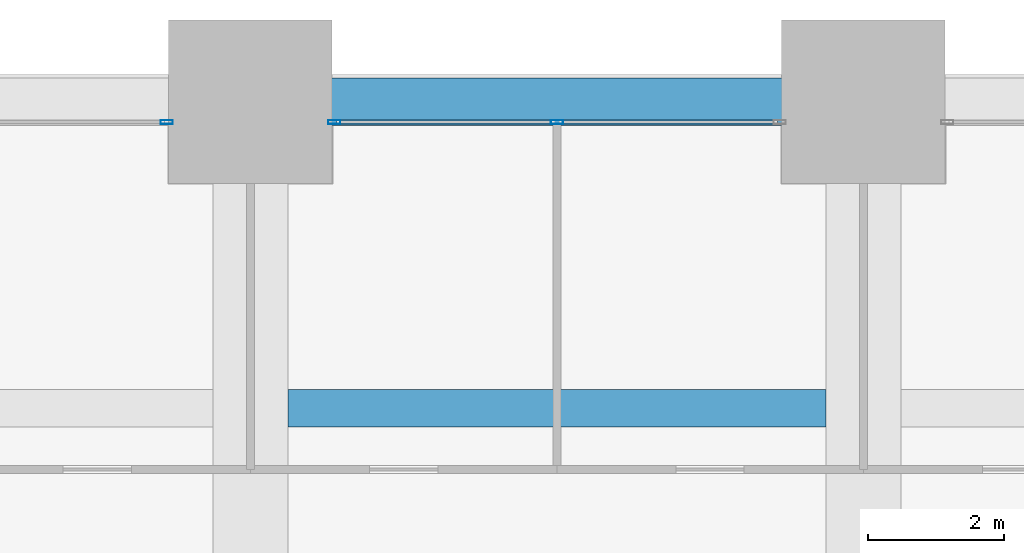
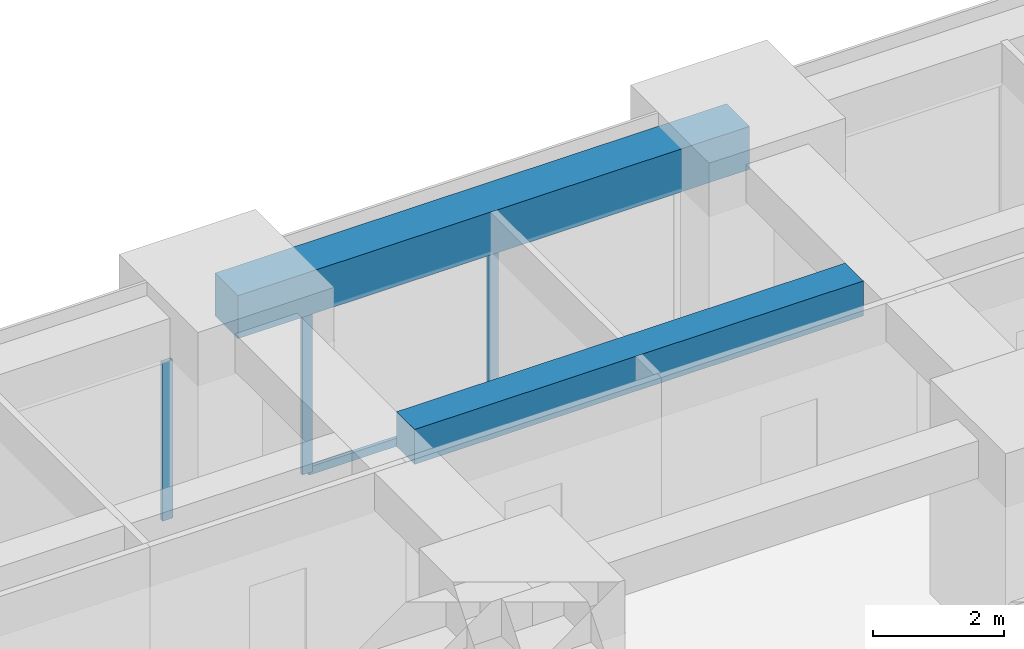
# One storey, part 30 of 44: 4 members, 2 beams, 2 elements without a shape of their own.
"""IFC4 building model written with IfcOpenShell, lengths in metres."""

from ifc_helpers import new_model, si_unit, direction, frame, origin, origin_2d, place, context, subcontext, project, spatial, rectangle, hollow_rectangle, extrude, material, material_profile, profile_set, type_object, element, aggregate, save


model = new_model("IFC4")

# Units and contexts
model_context = context("Model", 3, precision=1e-05, world=origin(), true_north=direction((0.0, 1.0)))
body_context = subcontext(model_context, "Body", "Model", "MODEL_VIEW")
ifc_project = project(units=[si_unit("LENGTHUNIT", "METRE"), si_unit("AREAUNIT", "SQUARE_METRE"), si_unit("VOLUMEUNIT", "CUBIC_METRE"), si_unit("PLANEANGLEUNIT", "RADIAN"), si_unit("MASSUNIT", "GRAM", prefix="KILO")], contexts=[model_context])

# Site, building, storey
site_placement = place(None, origin())
site = spatial("IfcSite", under=ifc_project, at=site_placement, CompositionType="ELEMENT")
building_placement = place(site_placement, origin())
building = spatial("IfcBuilding", under=site, at=building_placement, Name="Zorevar Civic Tower", CompositionType="ELEMENT")
storey_placement = place(building_placement, frame((0.0, 0.0, 31.800048828125)))
storey = spatial("IfcBuildingStorey", under=building, at=storey_placement, Name="L07", CompositionType="ELEMENT", Elevation=31.800048828125)

# Beam
ifc_material_1 = material(Name="Concrete C50/60", Category="concrete")
ifc_material_profile_1 = material_profile(ifc_material_1, rectangle(XDim=0.550048828125, YDim=0.64990234375, at=origin_2d()), Name="RC 550x650")
ifc_profile_set_1 = profile_set([ifc_material_profile_1], Name="Concrete C50/60")
beam_type_1 = type_object("IfcBeamType", Name="Beam RC 550x650", PredefinedType="BEAM", material=ifc_profile_set_1)
beam_1_placement = place(storey_placement, frame((27.550048828125, 49.5, 3.425048828125), z_axis=(1.0, 0.0, 0.0), x_axis=(0.0, 1.0, 0.0)))
element("IfcBeam", 1, at=beam_1_placement, inside=storey, type_object=beam_type_1, Name="Secondary beam L08", PredefinedType="BEAM", context=body_context, shape_type="SweptSolid", body=[
    extrude(rectangle(XDim=0.550048828125, YDim=0.64990234375, at=origin_2d()), origin(), (0.0, 0.0, 1.0), 7.89990234375),
])

# Curtain wall, member
ifc_material_2 = material(Name="Dark grey solar-control glass in black aluminium frame", Category="aluminium")
curtain_wall_type = type_object("IfcCurtainWallType", Name="Curtain wall CW2 low zone", PredefinedType="NOTDEFINED", material=ifc_material_2)
curtain_wall_1_placement = place(storey_placement, origin())
curtain_wall_1 = element("IfcCurtainWall", 2, at=curtain_wall_1_placement, inside=storey, type_object=curtain_wall_type, Name="CW2 L07", PredefinedType="NOTDEFINED")
ifc_material_3 = material(Name="Aluminium, black anodised", Category="aluminium")
ifc_material_profile_2 = material_profile(ifc_material_3, hollow_rectangle(XDim=0.06005859375, YDim=0.179931640625, WallThickness=0.00390625, at=origin_2d()), Name="AL 180x60x4")
ifc_profile_set_2 = profile_set([ifc_material_profile_2], Name="Aluminium, black anodised")
member_type_1 = type_object("IfcMemberType", Name="CW2 mullion AL 180x60x4", PredefinedType="MULLION", material=ifc_profile_set_2)
member_1_placement = place(storey_placement, frame((25.77001953125, 53.699951171875, 0.0), z_axis=(0.0, 0.0, 1.0), x_axis=(0.0, 1.0, 0.0)))
member_1 = element("IfcMember", 3, at=member_1_placement, type_object=member_type_1, Name="CW2 mullion 3", PredefinedType="MULLION", context=body_context, shape_type="SweptSolid", body=[
    extrude(hollow_rectangle(XDim=0.06005859375, YDim=0.179931640625, WallThickness=0.00390625, at=origin_2d()), origin(), (0.0, 0.0, 1.0), 2.949951171875),
])
aggregate(curtain_wall_1, [member_1])

# Curtain wall, members
curtain_wall_2_placement = place(storey_placement, origin())
curtain_wall_2 = element("IfcCurtainWall", 4, at=curtain_wall_2_placement, inside=storey, type_object=curtain_wall_type, Name="CW2 L07", PredefinedType="NOTDEFINED")
member_2_placement = place(storey_placement, frame((28.22998046875, 53.699951171875, 0.0), z_axis=(0.0, 0.0, 1.0), x_axis=(0.0, 1.0, 0.0)))
member_2 = element("IfcMember", 5, at=member_2_placement, type_object=member_type_1, Name="CW2 mullion 1", PredefinedType="MULLION", context=body_context, shape_type="SweptSolid", body=[
    extrude(hollow_rectangle(XDim=0.06005859375, YDim=0.179931640625, WallThickness=0.00390625, at=origin_2d()), origin(), (0.0, 0.0, 1.0), 2.949951171875),
])
member_3_placement = place(storey_placement, frame((31.5, 53.699951171875, 0.06005859375), z_axis=(0.0, 0.0, 1.0), x_axis=(0.0, 1.0, 0.0)))
member_3 = element("IfcMember", 6, at=member_3_placement, type_object=member_type_1, Name="CW2 mullion 2", PredefinedType="MULLION", context=body_context, shape_type="SweptSolid", body=[
    extrude(hollow_rectangle(XDim=0.06005859375, YDim=0.179931640625, WallThickness=0.00390625, at=origin_2d()), origin(), (0.0, 0.0, 1.0), 2.889892578125),
])
ifc_material_4 = material(Name="Aluminium, black anodised", Category="aluminium")
ifc_material_profile_3 = material_profile(ifc_material_4, hollow_rectangle(XDim=0.06005859375, YDim=0.14990234375, WallThickness=0.00390625, at=origin_2d()), Name="AL 150x60x4")
ifc_profile_set_3 = profile_set([ifc_material_profile_3], Name="Aluminium, black anodised")
member_type_2 = type_object("IfcMemberType", Name="CW2 transom AL 150x60x4", PredefinedType="USERDEFINED", material=ifc_profile_set_3)
member_4_placement = place(storey_placement, frame((28.260009765625, 53.699951171875, 0.030029296875), z_axis=(1.0, 0.0, 0.0), x_axis=(0.0, 1.0, 0.0)))
member_4 = element("IfcMember", 7, at=member_4_placement, type_object=member_type_2, Name="CW2 sill transom", ObjectType="TRANSOM", PredefinedType="USERDEFINED", context=body_context, shape_type="SweptSolid", body=[
    extrude(hollow_rectangle(XDim=0.06005859375, YDim=0.14990234375, WallThickness=0.00390625, at=origin_2d()), origin(), (0.0, 0.0, 1.0), 6.47998046875),
])
aggregate(curtain_wall_2, [member_2, member_3, member_4])

# Beam
ifc_material_5 = material(Name="Concrete C50/60", Category="concrete")
ifc_material_profile_4 = material_profile(ifc_material_5, rectangle(XDim=0.699951171875, YDim=0.800048828125, at=origin_2d()), Name="RC 700x800")
ifc_profile_set_4 = profile_set([ifc_material_profile_4], Name="Concrete C50/60")
beam_type_2 = type_object("IfcBeamType", Name="Edge beam RC 700x800", PredefinedType="SPANDREL", material=ifc_profile_set_4)
beam_2_placement = place(storey_placement, frame((27.0, 54.0, 3.349853515625), z_axis=(1.0, 0.0, 0.0), x_axis=(0.0, 1.0, 0.0)))
element("IfcBeam", 8, at=beam_2_placement, inside=storey, type_object=beam_type_2, Name="Edge beam L08", PredefinedType="SPANDREL", context=body_context, shape_type="SweptSolid", body=[
    extrude(rectangle(XDim=0.699951171875, YDim=0.800048828125, at=origin_2d()), origin(), (0.0, 0.0, 1.0), 9.0),
])

save(model, "model.ifc")
